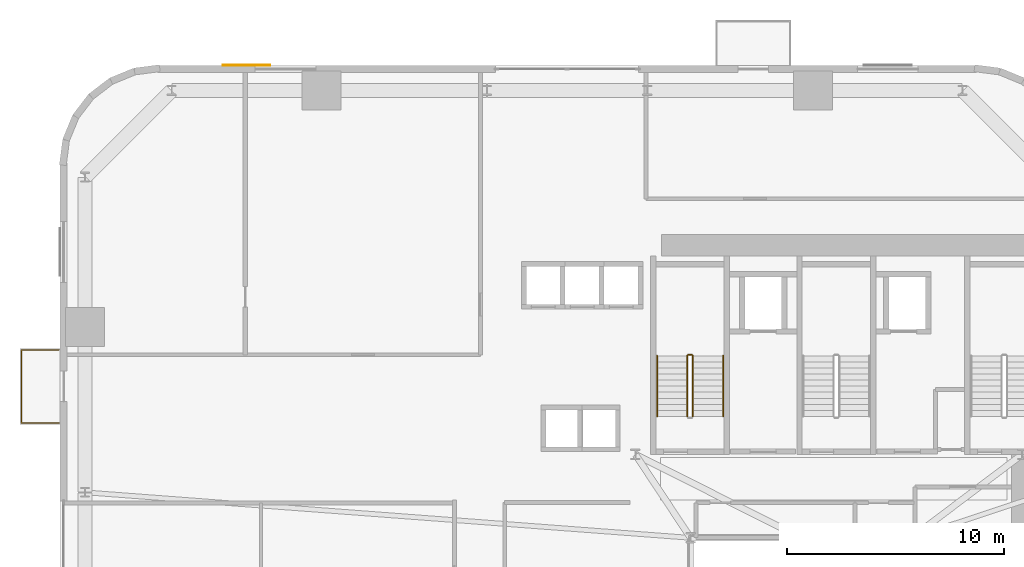
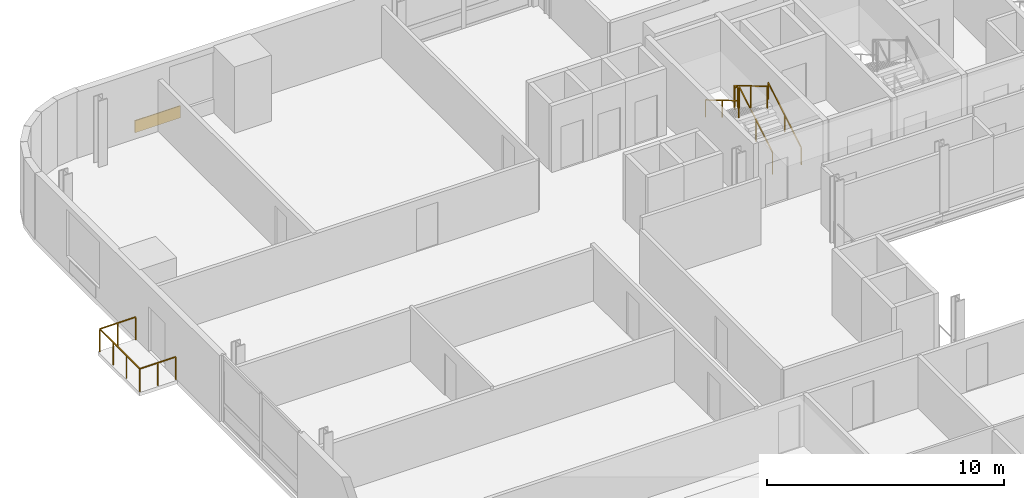
# One storey, part 12 of 13: 6 railings, 1 covering.
"""IFC4 building model written with IfcOpenShell, lengths in metres."""

from ifc_helpers import new_model, si_unit, direction, frame, origin, origin_2d, place, context, subcontext, project, spatial, rectangle, extrude, source, transform, mapped, material, layer, layer_set, type_object, element, save


model = new_model("IFC4")

# Units and contexts
model_context = context("Model", 3, precision=1e-05, world=origin(), true_north=direction((0.0, 1.0)))
body_context = subcontext(model_context, "Body", "Model", "MODEL_VIEW")
ifc_project = project(units=[si_unit("LENGTHUNIT", "METRE"), si_unit("AREAUNIT", "SQUARE_METRE"), si_unit("VOLUMEUNIT", "CUBIC_METRE"), si_unit("PLANEANGLEUNIT", "RADIAN"), si_unit("MASSUNIT", "GRAM", prefix="KILO")], contexts=[model_context])

# Site, building, storey
site_placement = place(None, origin())
site = spatial("IfcSite", under=ifc_project, at=site_placement, CompositionType="ELEMENT")
building_placement = place(site_placement, origin())
building = spatial("IfcBuilding", under=site, at=building_placement, Name="Vardaveli Station Tower", CompositionType="ELEMENT")
storey_placement = place(building_placement, frame((0.0, 0.0, 71.39990234375)))
storey = spatial("IfcBuildingStorey", under=building, at=storey_placement, Name="L18", CompositionType="ELEMENT", Elevation=71.39990234375)

# Covering
ifc_material_1 = material(Name="Ventilated honed travertine stone cladding", Category="masonry")
ifc_layer = layer(ifc_material_1, 0.044921875, Name="Ventilated honed travertine stone cladding")
ifc_layer_set = layer_set([ifc_layer], Name="Ventilated honed travertine stone cladding")
covering_type = type_object("IfcCoveringType", Name="COV-CLAD-TR45", PredefinedType="CLADDING", material=ifc_layer_set)
shared_shape_1 = source(origin(), body_context, "Body", "SweptSolid", [
    extrude(rectangle(XDim=2.199951171875, YDim=0.044921875, at=origin_2d()), origin(), (0.0, 0.0, 1.0), 0.6201171875),
])
covering_placement = place(storey_placement, frame((10.705078125, 48.614501953125, 0.070068359375), z_axis=(0.0, 0.0, 1.0), x_axis=(1.0, 0.0, 0.0)))
element("IfcCovering", 1, at=covering_placement, inside=storey, type_object=covering_type, Name="CLD-TR-L18-N", PredefinedType="CLADDING", context=body_context, shape_type="MappedRepresentation", body=[
    mapped(shared_shape_1, transform((0.0, 0.0, 0.0), scale=1.0)),
])

# Railings
ifc_material_2 = material(Name="Laminated glass and stainless steel balustrade", Category="steel")
railing_type_1 = type_object("IfcRailingType", Name="RL-BAL-1200", PredefinedType="BALUSTRADE", material=ifc_material_2)
shared_shape_2 = source(origin(), body_context, "Body", "SweptSolid", [
    extrude(rectangle(XDim=0.048095703125, YDim=0.048095703125, at=origin_2d()), frame((0.0, 0.0, 1.17578125), z_axis=(-1.0, 0.0, 0.0), x_axis=(0.0, -1.0, 0.0)), (0.0, 0.0, 1.0), 1.75),
    extrude(rectangle(XDim=0.048095703125, YDim=0.048095703125, at=origin_2d()), frame((-1.75, 0.0, 1.17578125), z_axis=(0.0, 1.0, 0.0), x_axis=(-1.0, 0.0, 0.0)), (0.0, 0.0, 1.0), 3.3798828125),
    extrude(rectangle(XDim=0.048095703125, YDim=0.048095703125, at=origin_2d()), frame((-1.75, 3.3798828125, 1.17578125), z_axis=(1.0, 0.0, 0.0), x_axis=(0.0, 1.0, 0.0)), (0.0, 0.0, 1.0), 1.75),
    extrude(rectangle(XDim=0.0419921875, YDim=0.0419921875, at=origin_2d()), origin(), (0.0, 0.0, 1.0), 1.15185546875),
    extrude(rectangle(XDim=0.0419921875, YDim=0.0419921875, at=origin_2d()), frame((-0.875, 0.0, 0.0)), (0.0, 0.0, 1.0), 1.15185546875),
    extrude(rectangle(XDim=0.0419921875, YDim=0.0419921875, at=origin_2d()), frame((-1.75, 0.0, 0.0)), (0.0, 0.0, 1.0), 1.15185546875),
    extrude(rectangle(XDim=0.0419921875, YDim=0.0419921875, at=origin_2d()), frame((-1.75, 1.126708984375, 0.0)), (0.0, 0.0, 1.0), 1.15185546875),
    extrude(rectangle(XDim=0.0419921875, YDim=0.0419921875, at=origin_2d()), frame((-1.75, 2.253173828125, 0.0)), (0.0, 0.0, 1.0), 1.15185546875),
    extrude(rectangle(XDim=0.0419921875, YDim=0.0419921875, at=origin_2d()), frame((-1.75, 3.3798828125, 0.0)), (0.0, 0.0, 1.0), 1.15185546875),
    extrude(rectangle(XDim=0.0419921875, YDim=0.0419921875, at=origin_2d()), frame((-0.875, 3.3798828125, 0.0)), (0.0, 0.0, 1.0), 1.15185546875),
    extrude(rectangle(XDim=0.0419921875, YDim=0.0419921875, at=origin_2d()), frame((0.0, 3.3798828125, 0.0)), (0.0, 0.0, 1.0), 1.15185546875),
])
railing_1_placement = place(storey_placement, frame((2.06005859375, 32.099609375, 0.0)))
element("IfcRailing", 2, at=railing_1_placement, inside=storey, type_object=railing_type_1, Name="RL-LOG-L18-03", PredefinedType="BALUSTRADE", context=body_context, shape_type="MappedRepresentation", body=[
    mapped(shared_shape_2, transform((0.0, 0.0, 0.0), scale=1.0)),
])
ifc_material_3 = material(Name="Brushed AISI 316 stainless steel", Category="steel")
railing_type_2 = type_object("IfcRailingType", Name="RL-GUARD-1150", PredefinedType="GUARDRAIL", material=ifc_material_3)
shared_shape_3 = source(origin(), body_context, "Body", "SweptSolid", [
    extrude(rectangle(XDim=0.048095703125, YDim=0.048095703125, at=origin_2d()), frame((0.0, 0.0, 1.1259765625), z_axis=(-1.0, 0.0, 0.0), x_axis=(0.0, -1.0, 0.0)), (0.0, 0.0, 1.0), 0.14990234375),
    extrude(rectangle(XDim=0.0419921875, YDim=0.0419921875, at=origin_2d()), origin(), (0.0, 0.0, 1.0), 1.101806640625),
    extrude(rectangle(XDim=0.0419921875, YDim=0.0419921875, at=origin_2d()), frame((-0.14990234375, 0.0, 0.0)), (0.0, 0.0, 1.0), 1.101806640625),
])
railing_2_placement = place(storey_placement, frame((31.25, 35.25, 1.8251953125)))
element("IfcRailing", 3, at=railing_2_placement, inside=storey, type_object=railing_type_2, Name="L18 ST-1 stair guard 2", PredefinedType="GUARDRAIL", context=body_context, shape_type="MappedRepresentation", body=[
    mapped(shared_shape_3, transform((0.0, 0.0, 0.0), scale=1.0)),
])
shared_shape_4 = source(origin(), body_context, "Body", "SweptSolid", [
    extrude(rectangle(XDim=0.048095703125, YDim=0.048095703125, at=origin_2d()), frame((0.0, 0.0, 1.1259765625), z_axis=(0.0, 0.860306154799, 0.50977771628), x_axis=(-1.0, 0.0, 0.0)), (0.0, 0.0, 1.0), 3.254638671875),
    extrude(rectangle(XDim=0.0419921875, YDim=0.0419921875, at=origin_2d()), origin(), (0.0, 0.0, 1.0), 1.101806640625),
    extrude(rectangle(XDim=0.0419921875, YDim=0.0419921875, at=origin_2d()), frame((0.0, 1.39990234375, 0.82958984375)), (0.0, 0.0, 1.0), 1.101806640625),
    extrude(rectangle(XDim=0.0419921875, YDim=0.0419921875, at=origin_2d()), frame((0.0, 2.800048828125, 1.6591796875)), (0.0, 0.0, 1.0), 1.101806640625),
])
railing_3_placement = place(storey_placement, frame((31.300048828125, 32.39990234375, 0.166015625)))
element("IfcRailing", 4, at=railing_3_placement, inside=storey, type_object=railing_type_2, Name="L18 ST-1 stair guard 1", PredefinedType="GUARDRAIL", context=body_context, shape_type="MappedRepresentation", body=[
    mapped(shared_shape_4, transform((0.0, 0.0, 0.0), scale=1.0)),
])
shared_shape_5 = source(origin(), body_context, "Body", "SweptSolid", [
    extrude(rectangle(XDim=0.048095703125, YDim=0.048095703125, at=origin_2d()), frame((0.0, 0.0, 1.1259765625), z_axis=(0.0, -0.860306154799, 0.50977771628), x_axis=(1.0, 0.0, 0.0)), (0.0, 0.0, 1.0), 3.254638671875),
    extrude(rectangle(XDim=0.0419921875, YDim=0.0419921875, at=origin_2d()), origin(), (0.0, 0.0, 1.0), 1.101806640625),
    extrude(rectangle(XDim=0.0419921875, YDim=0.0419921875, at=origin_2d()), frame((0.0, -1.39990234375, 0.82958984375)), (0.0, 0.0, 1.0), 1.101806640625),
    extrude(rectangle(XDim=0.0419921875, YDim=0.0419921875, at=origin_2d()), frame((0.0, -2.800048828125, 1.6591796875)), (0.0, 0.0, 1.0), 1.101806640625),
])
railing_4_placement = place(storey_placement, frame((31.050048828125, 35.199951171875, 1.990966796875)))
element("IfcRailing", 5, at=railing_4_placement, inside=storey, type_object=railing_type_2, Name="L18 ST-1 stair guard 3", PredefinedType="GUARDRAIL", context=body_context, shape_type="MappedRepresentation", body=[
    mapped(shared_shape_5, transform((0.0, 0.0, 0.0), scale=1.0)),
])
railing_type_3 = type_object("IfcRailingType", Name="RL-HAND-900", PredefinedType="HANDRAIL", material=ifc_material_3)
shared_shape_6 = source(origin(), body_context, "Body", "SweptSolid", [
    extrude(rectangle(XDim=0.048095703125, YDim=0.048095703125, at=origin_2d()), frame((0.0, 0.0, 0.8759765625), z_axis=(0.0, 0.860306154799, 0.50977771628), x_axis=(-1.0, 0.0, 0.0)), (0.0, 0.0, 1.0), 3.254638671875),
    extrude(rectangle(XDim=0.0419921875, YDim=0.0419921875, at=origin_2d()), origin(), (0.0, 0.0, 1.0), 0.851806640625),
    extrude(rectangle(XDim=0.0419921875, YDim=0.0419921875, at=origin_2d()), frame((0.0, 1.39990234375, 0.82958984375)), (0.0, 0.0, 1.0), 0.851806640625),
    extrude(rectangle(XDim=0.0419921875, YDim=0.0419921875, at=origin_2d()), frame((0.0, 2.800048828125, 1.6591796875)), (0.0, 0.0, 1.0), 0.851806640625),
])
railing_5_placement = place(storey_placement, frame((32.699951171875, 32.39990234375, 0.166015625)))
element("IfcRailing", 6, at=railing_5_placement, inside=storey, type_object=railing_type_3, Name="L18 ST-1 stair handrail 1", PredefinedType="HANDRAIL", context=body_context, shape_type="MappedRepresentation", body=[
    mapped(shared_shape_6, transform((0.0, 0.0, 0.0), scale=1.0)),
])
shared_shape_7 = source(origin(), body_context, "Body", "SweptSolid", [
    extrude(rectangle(XDim=0.048095703125, YDim=0.048095703125, at=origin_2d()), frame((0.0, 0.0, 0.8759765625), z_axis=(0.0, -0.860306154799, 0.50977771628), x_axis=(1.0, 0.0, 0.0)), (0.0, 0.0, 1.0), 3.254638671875),
    extrude(rectangle(XDim=0.0419921875, YDim=0.0419921875, at=origin_2d()), origin(), (0.0, 0.0, 1.0), 0.851806640625),
    extrude(rectangle(XDim=0.0419921875, YDim=0.0419921875, at=origin_2d()), frame((0.0, -1.39990234375, 0.82958984375)), (0.0, 0.0, 1.0), 0.851806640625),
    extrude(rectangle(XDim=0.0419921875, YDim=0.0419921875, at=origin_2d()), frame((0.0, -2.800048828125, 1.6591796875)), (0.0, 0.0, 1.0), 0.851806640625),
])
railing_6_placement = place(storey_placement, frame((29.64990234375, 35.199951171875, 1.990966796875)))
element("IfcRailing", 7, at=railing_6_placement, inside=storey, type_object=railing_type_3, Name="L18 ST-1 stair handrail 2", PredefinedType="HANDRAIL", context=body_context, shape_type="MappedRepresentation", body=[
    mapped(shared_shape_7, transform((0.0, 0.0, 0.0), scale=1.0)),
])

save(model, "model.ifc")
